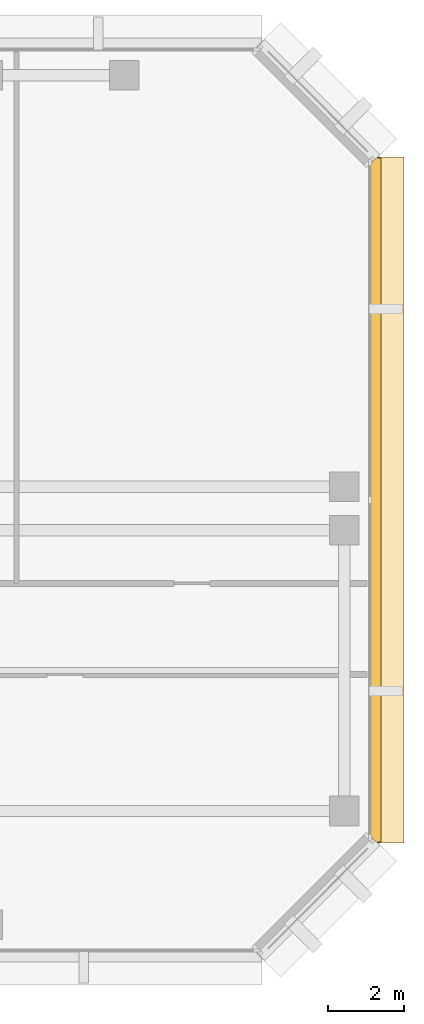
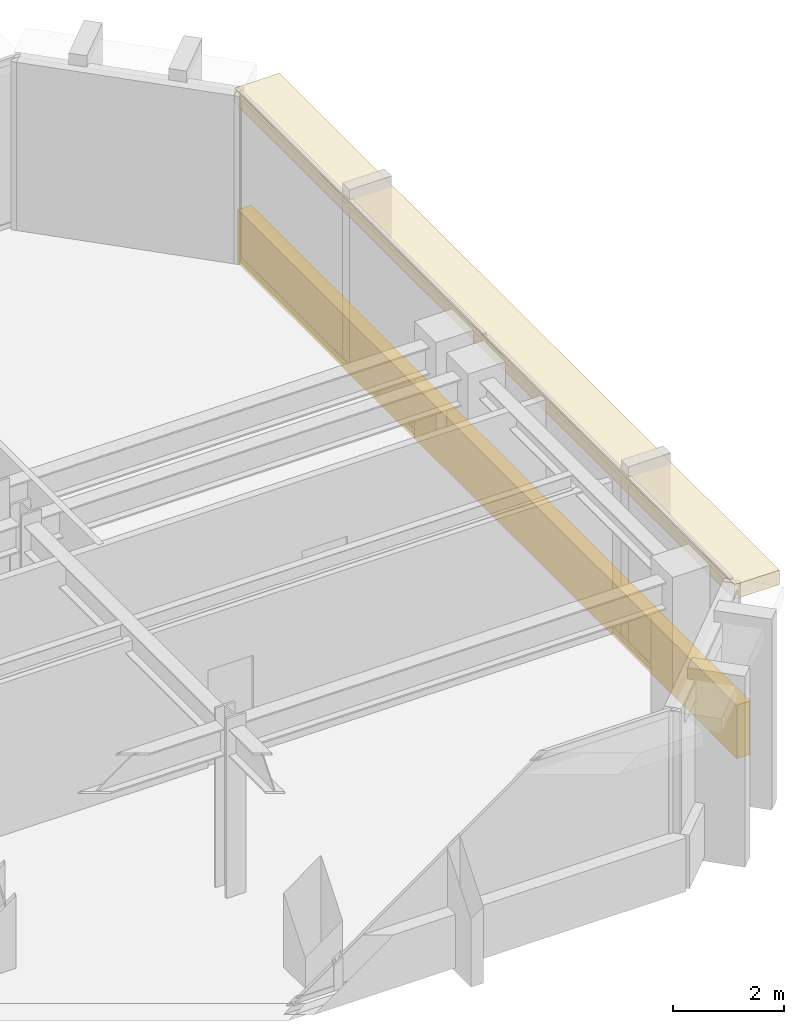
# One storey, part 10 of 12: 2 coverings.
"""IFC4 building model written with IfcOpenShell, lengths in metres."""

from ifc_helpers import new_model, si_unit, direction, frame, origin, origin_2d, place, context, subcontext, project, spatial, rectangle, extrude, material, layer, layer_set, type_object, element, save


model = new_model("IFC4")

# Units and contexts
model_context = context("Model", 3, precision=1e-05, world=origin(), true_north=direction((0.0, 1.0)))
body_context = subcontext(model_context, "Body", "Model", "MODEL_VIEW")
ifc_project = project(units=[si_unit("LENGTHUNIT", "METRE"), si_unit("AREAUNIT", "SQUARE_METRE"), si_unit("VOLUMEUNIT", "CUBIC_METRE"), si_unit("PLANEANGLEUNIT", "RADIAN"), si_unit("MASSUNIT", "GRAM", prefix="KILO")], contexts=[model_context])

# Site, building, storey
site_placement = place(None, origin())
site = spatial("IfcSite", under=ifc_project, at=site_placement, CompositionType="ELEMENT")
building_placement = place(site_placement, origin())
building = spatial("IfcBuilding", under=site, at=building_placement, Name="Kefirva Bronze Tower", CompositionType="ELEMENT")
storey_placement = place(building_placement, frame((0.0, 0.0, 207.239990234375)))
storey = spatial("IfcBuildingStorey", under=building, at=storey_placement, Name="L50", CompositionType="ELEMENT", Elevation=207.239990234375)

# Coverings
ifc_material = material(Name="Bronze anodised aluminium", Category="aluminium")
ifc_layer_1 = layer(ifc_material, 0.02001953125, Name="Bronze anodised aluminium")
ifc_layer_set_1 = layer_set([ifc_layer_1], Name="Bronze anodised aluminium")
covering_type_1 = type_object("IfcCoveringType", Name="Anodised Bronze Spandrel Cladding 20mm", PredefinedType="CLADDING", material=ifc_layer_set_1)
covering_1_placement = place(storey_placement, frame((50.239990234375, 34.0, -0.16015625), z_axis=(0.0, 0.0, 1.0), x_axis=(0.0, 1.0, 0.0)))
element("IfcCovering", 1, at=covering_1_placement, inside=storey, type_object=covering_type_1, Name="L50 Streamline Horizontal Spandrel Band 6", PredefinedType="CLADDING", context=body_context, shape_type="SweptSolid", body=[
    extrude(rectangle(XDim=18.0400390625, YDim=0.280029296875, at=origin_2d()), origin(), (0.0, 0.0, 1.0), 1.179931640625),
])
ifc_layer_2 = layer(ifc_material, 0.179931640625, Name="Bronze anodised aluminium")
ifc_layer_set_2 = layer_set([ifc_layer_2], Name="Bronze anodised aluminium")
covering_type_2 = type_object("IfcCoveringType", Name="Streamline Bronze Sunshade Eyebrow Cladding 180mm", PredefinedType="CLADDING", material=ifc_layer_set_2)
covering_2_placement = place(storey_placement, frame((50.510009765625, 34.0, 3.39013671875), z_axis=(0.0, 0.0, 1.0), x_axis=(0.0, 1.0, 0.0)))
element("IfcCovering", 2, at=covering_2_placement, inside=storey, type_object=covering_type_2, Name="L50 Streamline Bronze Sunshade Eyebrow 6", PredefinedType="CLADDING", context=body_context, shape_type="SweptSolid", body=[
    extrude(rectangle(XDim=18.080078125, YDim=0.93994140625, at=origin_2d()), origin(), (0.0, 0.0, 1.0), 0.320068359375),
])

save(model, "model.ifc")
